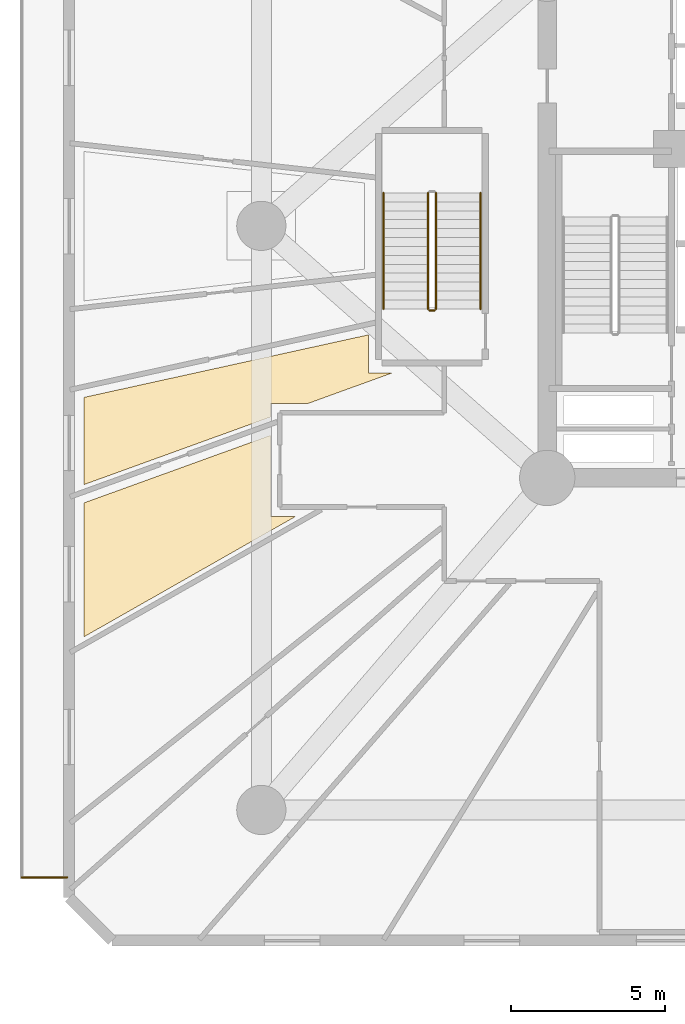
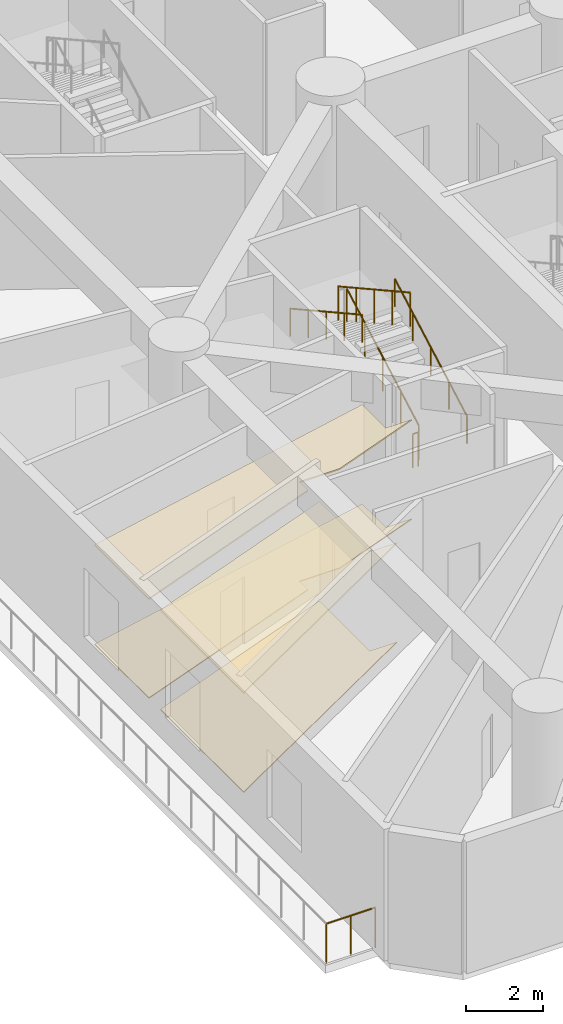
# One storey, part 21 of 26: 6 railings, 4 coverings.
"""IFC4 building model written with IfcOpenShell, lengths in metres."""

from ifc_helpers import new_model, si_unit, direction, frame, origin, origin_2d, place, context, subcontext, project, spatial, polyline, circle, outline, extrude, material, layer, layer_set, type_object, element, save


model = new_model("IFC4")

# Units and contexts
model_context = context("Model", 3, precision=1e-05, world=origin(), true_north=direction((0.0, 1.0)))
body_context = subcontext(model_context, "Body", "Model", "MODEL_VIEW")
ifc_project = project(units=[si_unit("LENGTHUNIT", "METRE"), si_unit("AREAUNIT", "SQUARE_METRE"), si_unit("VOLUMEUNIT", "CUBIC_METRE"), si_unit("PLANEANGLEUNIT", "RADIAN"), si_unit("MASSUNIT", "GRAM", prefix="KILO")], contexts=[model_context])

# Site, building, storey
site_placement = place(None, origin())
site = spatial("IfcSite", under=ifc_project, at=site_placement, CompositionType="ELEMENT")
building_placement = place(site_placement, origin())
building = spatial("IfcBuilding", under=site, at=building_placement, Name="Karkom Vertical University and Central Library", CompositionType="ELEMENT")
storey_placement = place(building_placement, frame((0.0, 0.0, 9.0)))
storey = spatial("IfcBuildingStorey", under=building, at=storey_placement, Name="L02", CompositionType="ELEMENT", Elevation=9.0)

# Railing
ifc_material_1 = material(Name="Architectural painted steel & laminated glass balustrade", Category="steel")
ifc_layer_1 = layer(ifc_material_1, 0.090087890625)
ifc_layer_set_1 = layer_set([ifc_layer_1], Name="Architectural painted steel & laminated glass balustrade")
railing_type_1 = type_object("IfcRailingType", Name="ENV-RL-BAL1300", PredefinedType="BALUSTRADE", material=ifc_layer_set_1)
railing_1_placement = place(storey_placement, frame((3.889892578125, 5.31005859375, 0.0)))
element("IfcRailing", 1, at=railing_1_placement, inside=storey, type_object=railing_type_1, Name="Level 02 Planted Terrace Safety Balustrade 03", PredefinedType="BALUSTRADE", context=body_context, shape_type="SweptSolid", body=[
    extrude(circle(Radius=0.02392578125, at=origin_2d()), frame((0.0, 0.0, 1.27587890625), z_axis=(-1.0, 0.0, 0.0), x_axis=(0.0, -1.0, 0.0)), (0.0, 0.0, 1.0), 1.47998046875),
    extrude(circle(Radius=0.02099609375, at=origin_2d()), origin(), (0.0, 0.0, 1.0), 1.251953125),
    extrude(circle(Radius=0.02099609375, at=origin_2d()), frame((-0.739990234375, 0.0, 0.0)), (0.0, 0.0, 1.0), 1.251953125),
    extrude(circle(Radius=0.02099609375, at=origin_2d()), frame((-1.47998046875, 0.0, 0.0)), (0.0, 0.0, 1.0), 1.251953125),
])

# Coverings
ifc_material_2 = material(Name="Perforated mineral-fibre & timber-slat acoustic ceiling", Category="wood")
ifc_layer_2 = layer(ifc_material_2, 0.044921875)
ifc_layer_set_2 = layer_set([ifc_layer_2], Name="Perforated mineral-fibre & timber-slat acoustic ceiling")
covering_type_1 = type_object("IfcCoveringType", Name="INT-COV-CEIL", PredefinedType="CEILING", material=ifc_layer_set_2)
covering_1_placement = place(storey_placement, frame((0.0, 0.0, 3.155029296875)))
element("IfcCovering", 2, at=covering_1_placement, inside=storey, type_object=covering_type_1, Name="Level 02 Suspended Acoustic Ceiling Level 02-PD03", PredefinedType="CEILING", context=body_context, shape_type="SweptSolid", body=[
    extrude(outline(polyline([(13.679931640625, 21.719970703125), (14.466796875, 21.719970703125), (11.711181640625, 20.719970703125), (10.5, 20.719970703125), (10.5, 20.281494140625), (4.429931640625, 18.083984375), (4.429931640625, 20.920654296875), (13.679931640625, 22.95458984375), (13.679931640625, 21.719970703125)])), origin(), (0.0, 0.0, 1.0), 0.044921875),
])
covering_2_placement = place(storey_placement, frame((0.0, 0.0, 3.155029296875)))
element("IfcCovering", 3, at=covering_2_placement, inside=storey, type_object=covering_type_1, Name="Level 02 Suspended Acoustic Ceiling Level 02-PD04", PredefinedType="CEILING", context=body_context, shape_type="SweptSolid", body=[
    extrude(outline(polyline([(4.429931640625, 17.488525390625), (10.5, 19.68603515625), (10.5, 17.050048828125), (11.317626953125, 17.050048828125), (4.429931640625, 13.1328125), (4.429931640625, 17.488525390625)])), origin(), (0.0, 0.0, 1.0), 0.044921875),
])
ifc_material_3 = material(Name="Honed Kota limestone & terrazzo flooring", Category="masonry")
ifc_layer_3 = layer(ifc_material_3, 0.030029296875)
ifc_layer_set_3 = layer_set([ifc_layer_3], Name="Honed Kota limestone & terrazzo flooring")
covering_type_2 = type_object("IfcCoveringType", Name="INT-COV-FLOOR", PredefinedType="FLOORING", material=ifc_layer_set_3)
covering_3_placement = place(storey_placement, origin())
element("IfcCovering", 4, at=covering_3_placement, inside=storey, type_object=covering_type_2, Name="Level 02 Kota Stone Floor Finish Level 02-PD03", PredefinedType="FLOORING", context=body_context, shape_type="SweptSolid", body=[
    extrude(outline(polyline([(13.679931640625, 21.719970703125), (14.466796875, 21.719970703125), (11.711181640625, 20.719970703125), (10.5, 20.719970703125), (10.5, 20.281494140625), (4.429931640625, 18.083984375), (4.429931640625, 20.920654296875), (13.679931640625, 22.95458984375), (13.679931640625, 21.719970703125)])), origin(), (0.0, 0.0, 1.0), 0.030029296875),
])
covering_4_placement = place(storey_placement, origin())
element("IfcCovering", 5, at=covering_4_placement, inside=storey, type_object=covering_type_2, Name="Level 02 Kota Stone Floor Finish Level 02-PD04", PredefinedType="FLOORING", context=body_context, shape_type="SweptSolid", body=[
    extrude(outline(polyline([(4.429931640625, 17.488525390625), (10.5, 19.68603515625), (10.5, 17.050048828125), (11.317626953125, 17.050048828125), (4.429931640625, 13.1328125), (4.429931640625, 17.488525390625)])), origin(), (0.0, 0.0, 1.0), 0.030029296875),
])

# Railings
ifc_material_4 = material(Name="Painted galvanised steel balustrade", Category="steel")
ifc_layer_4 = layer(ifc_material_4, 0.06005859375)
ifc_layer_set_4 = layer_set([ifc_layer_4], Name="Painted galvanised steel balustrade")
railing_type_2 = type_object("IfcRailingType", Name="INT-RL-GUARD1100", PredefinedType="GUARDRAIL", material=ifc_layer_set_4)
railing_2_placement = place(storey_placement, frame((15.8798828125, 23.800048828125, 0.16064453125)))
element("IfcRailing", 6, at=railing_2_placement, inside=storey, type_object=railing_type_2, Name="Level 02 ST-3 stair guard 1", PredefinedType="GUARDRAIL", context=body_context, shape_type="SweptSolid", body=[
    extrude(circle(Radius=0.02392578125, at=origin_2d()), frame((0.0, 0.0, 1.076171875), z_axis=(0.0, 0.874659101714, 0.484738543742), x_axis=(-1.0, 0.0, 0.0)), (0.0, 0.0, 1.0), 4.310302734375),
    extrude(circle(Radius=0.02099609375, at=origin_2d()), origin(), (0.0, 0.0, 1.0), 1.052001953125),
    extrude(circle(Radius=0.02099609375, at=origin_2d()), frame((0.0, 0.9423828125, 0.5224609375)), (0.0, 0.0, 1.0), 1.052001953125),
    extrude(circle(Radius=0.02099609375, at=origin_2d()), frame((0.0, 1.885009765625, 1.044677734375)), (0.0, 0.0, 1.0), 1.052001953125),
    extrude(circle(Radius=0.02099609375, at=origin_2d()), frame((0.0, 2.82763671875, 1.56689453125)), (0.0, 0.0, 1.0), 1.052001953125),
    extrude(circle(Radius=0.02099609375, at=origin_2d()), frame((0.0, 3.77001953125, 2.08935546875)), (0.0, 0.0, 1.0), 1.052001953125),
])
railing_3_placement = place(storey_placement, frame((15.6201171875, 27.570068359375, 2.41064453125)))
element("IfcRailing", 7, at=railing_3_placement, inside=storey, type_object=railing_type_2, Name="Level 02 ST-3 stair guard 3", PredefinedType="GUARDRAIL", context=body_context, shape_type="SweptSolid", body=[
    extrude(circle(Radius=0.02392578125, at=origin_2d()), frame((0.0, 0.0, 1.076171875), z_axis=(0.0, -0.874659101714, 0.484738543742), x_axis=(1.0, 0.0, 0.0)), (0.0, 0.0, 1.0), 4.310302734375),
    extrude(circle(Radius=0.02099609375, at=origin_2d()), origin(), (0.0, 0.0, 1.0), 1.052001953125),
    extrude(circle(Radius=0.02099609375, at=origin_2d()), frame((0.0, -0.9423828125, 0.5224609375)), (0.0, 0.0, 1.0), 1.052001953125),
    extrude(circle(Radius=0.02099609375, at=origin_2d()), frame((0.0, -1.885009765625, 1.044677734375)), (0.0, 0.0, 1.0), 1.052001953125),
    extrude(circle(Radius=0.02099609375, at=origin_2d()), frame((0.0, -2.82763671875, 1.56689453125)), (0.0, 0.0, 1.0), 1.052001953125),
    extrude(circle(Radius=0.02099609375, at=origin_2d()), frame((0.0, -3.77001953125, 2.08935546875)), (0.0, 0.0, 1.0), 1.052001953125),
])
railing_4_placement = place(storey_placement, frame((15.830078125, 23.75, 0.0)))
element("IfcRailing", 8, at=railing_4_placement, inside=storey, type_object=railing_type_2, Name="Level 02 ST-3 stair guard 4", PredefinedType="GUARDRAIL", context=body_context, shape_type="SweptSolid", body=[
    extrude(circle(Radius=0.02392578125, at=origin_2d()), frame((0.0, 0.0, 1.076171875), z_axis=(-1.0, 0.0, 0.0), x_axis=(0.0, -1.0, 0.0)), (0.0, 0.0, 1.0), 0.16015625),
    extrude(circle(Radius=0.02099609375, at=origin_2d()), origin(), (0.0, 0.0, 1.0), 1.052001953125),
    extrude(circle(Radius=0.02099609375, at=origin_2d()), frame((-0.16015625, 0.0, 0.0)), (0.0, 0.0, 1.0), 1.052001953125),
])
ifc_material_5 = material(Name="Brushed stainless-steel tubular handrail", Category="steel")
ifc_layer_5 = layer(ifc_material_5, 0.048095703125)
ifc_layer_set_5 = layer_set([ifc_layer_5], Name="Brushed stainless-steel tubular handrail")
railing_type_3 = type_object("IfcRailingType", Name="INT-RL-HAND920", PredefinedType="HANDRAIL", material=ifc_layer_set_5)
railing_5_placement = place(storey_placement, frame((17.330078125, 23.800048828125, 0.16064453125)))
element("IfcRailing", 9, at=railing_5_placement, inside=storey, type_object=railing_type_3, Name="Level 02 ST-3 stair handrail 1", PredefinedType="HANDRAIL", context=body_context, shape_type="SweptSolid", body=[
    extrude(circle(Radius=0.02392578125, at=origin_2d()), frame((0.0, 0.0, 0.8759765625), z_axis=(0.0, 0.874659101714, 0.484738543742), x_axis=(-1.0, 0.0, 0.0)), (0.0, 0.0, 1.0), 4.310302734375),
    extrude(circle(Radius=0.02099609375, at=origin_2d()), origin(), (0.0, 0.0, 1.0), 0.851806640625),
    extrude(circle(Radius=0.02099609375, at=origin_2d()), frame((0.0, 0.9423828125, 0.5224609375)), (0.0, 0.0, 1.0), 0.851806640625),
    extrude(circle(Radius=0.02099609375, at=origin_2d()), frame((0.0, 1.885009765625, 1.044677734375)), (0.0, 0.0, 1.0), 0.851806640625),
    extrude(circle(Radius=0.02099609375, at=origin_2d()), frame((0.0, 2.82763671875, 1.56689453125)), (0.0, 0.0, 1.0), 0.851806640625),
    extrude(circle(Radius=0.02099609375, at=origin_2d()), frame((0.0, 3.77001953125, 2.08935546875)), (0.0, 0.0, 1.0), 0.851806640625),
])
railing_6_placement = place(storey_placement, frame((14.169921875, 27.570068359375, 2.41064453125)))
element("IfcRailing", 10, at=railing_6_placement, inside=storey, type_object=railing_type_3, Name="Level 02 ST-3 stair handrail 2", PredefinedType="HANDRAIL", context=body_context, shape_type="SweptSolid", body=[
    extrude(circle(Radius=0.02392578125, at=origin_2d()), frame((0.0, 0.0, 0.8759765625), z_axis=(0.0, -0.874659101714, 0.484738543742), x_axis=(1.0, 0.0, 0.0)), (0.0, 0.0, 1.0), 4.310302734375),
    extrude(circle(Radius=0.02099609375, at=origin_2d()), origin(), (0.0, 0.0, 1.0), 0.851806640625),
    extrude(circle(Radius=0.02099609375, at=origin_2d()), frame((0.0, -0.9423828125, 0.5224609375)), (0.0, 0.0, 1.0), 0.851806640625),
    extrude(circle(Radius=0.02099609375, at=origin_2d()), frame((0.0, -1.885009765625, 1.044677734375)), (0.0, 0.0, 1.0), 0.851806640625),
    extrude(circle(Radius=0.02099609375, at=origin_2d()), frame((0.0, -2.82763671875, 1.56689453125)), (0.0, 0.0, 1.0), 0.851806640625),
    extrude(circle(Radius=0.02099609375, at=origin_2d()), frame((0.0, -3.77001953125, 2.08935546875)), (0.0, 0.0, 1.0), 0.851806640625),
])

save(model, "model.ifc")
